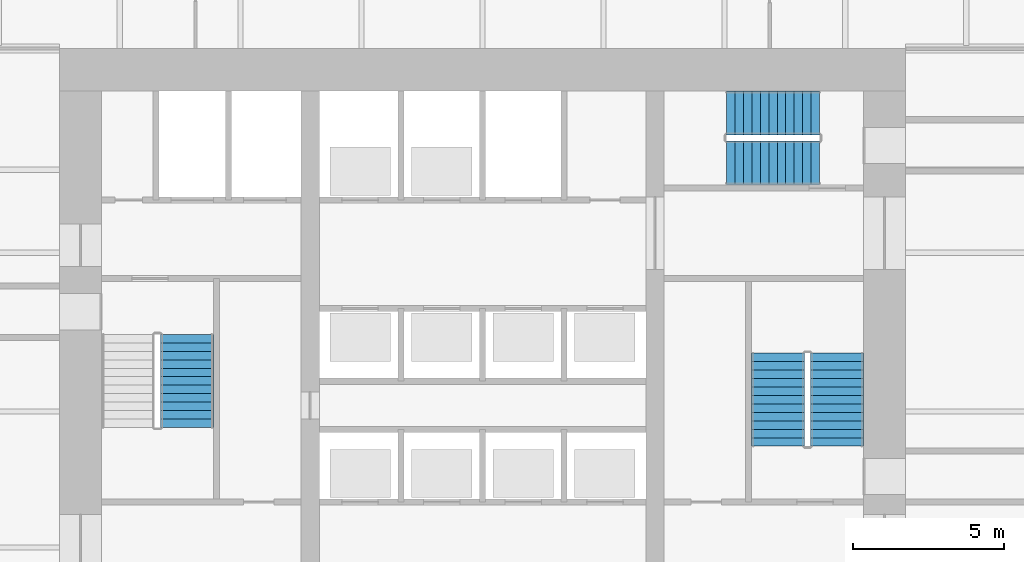
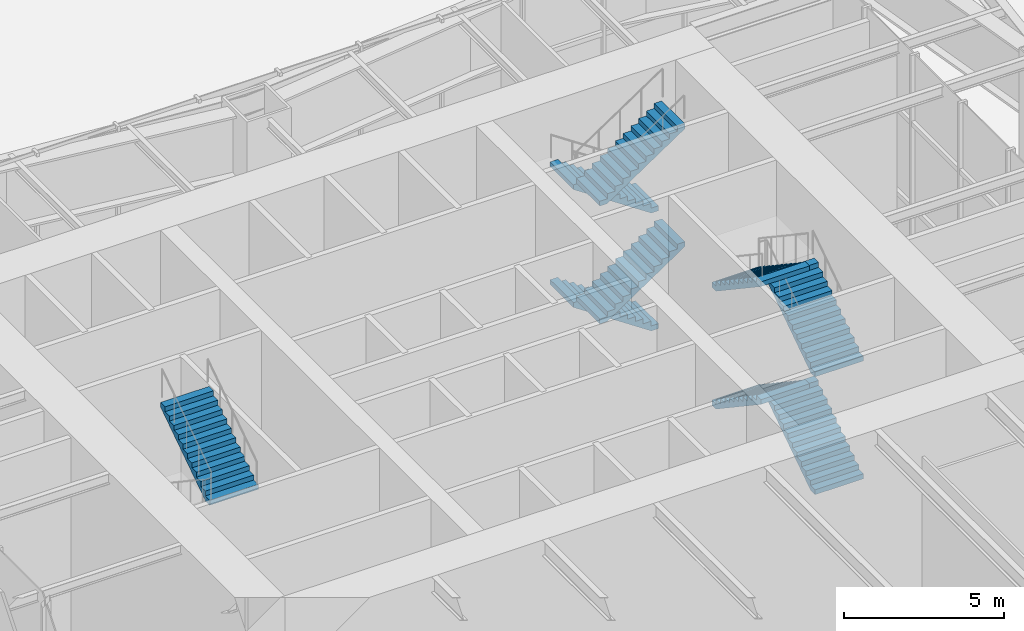
# One storey, part 10 of 13: 9 stair flights, 3 elements without a shape of their own.
"""IFC4 building model written with IfcOpenShell, lengths in metres."""

from ifc_helpers import new_model, si_unit, direction, frame, origin, place, context, subcontext, project, spatial, polyline, outline, extrude, material, type_object, element, aggregate, save


model = new_model("IFC4")

# Units and contexts
model_context = context("Model", 3, precision=1e-05, world=origin(), true_north=direction((0.0, 1.0)))
body_context = subcontext(model_context, "Body", "Model", "MODEL_VIEW")
ifc_project = project(units=[si_unit("LENGTHUNIT", "METRE"), si_unit("AREAUNIT", "SQUARE_METRE"), si_unit("VOLUMEUNIT", "CUBIC_METRE"), si_unit("PLANEANGLEUNIT", "RADIAN"), si_unit("MASSUNIT", "GRAM", prefix="KILO")], contexts=[model_context])

# Site, building, storey
site_placement = place(None, origin())
site = spatial("IfcSite", under=ifc_project, at=site_placement, CompositionType="ELEMENT")
building_placement = place(site_placement, origin())
building = spatial("IfcBuilding", under=site, at=building_placement, Name="Verdant Reach Tower", CompositionType="ELEMENT")
storey_placement = place(building_placement, origin())
storey = spatial("IfcBuildingStorey", under=building, at=storey_placement, Name="G", CompositionType="ELEMENT", Elevation=0.0)

# Stair, stair flight
ifc_material = material(Name="Concrete C40/50", Category="concrete")
stair_type = type_object("IfcStairType", Name="CO-STAIR", PredefinedType="HALF_TURN_STAIR", material=ifc_material)
stair_1_placement = place(storey_placement, origin())
stair_1 = element("IfcStair", 1, at=stair_1_placement, inside=storey, type_object=stair_type, Name="G Exit stair 1", PredefinedType="HALF_TURN_STAIR")
stair_flight_type = type_object("IfcStairFlightType", Name="CO-STAIR-FLIGHT", PredefinedType="STRAIGHT", material=ifc_material)
stair_flight_1_placement = place(storey_placement, frame((-9.77490234375, 26.469970703125, 6.75), z_axis=(0.0, 0.0, 1.0), x_axis=(0.0, 1.0, 0.0)))
stair_flight_1 = element("IfcStairFlight", 2, at=stair_flight_1_placement, type_object=stair_flight_type, Name="ST-1 flight 4", NumberOfRisers=12, NumberOfTreads=11, PredefinedType="STRAIGHT", RiserHeight=0.1875, TreadLength=0.28, context=body_context, shape_type="SweptSolid", body=[
    extrude(outline(polyline([(0.0, 0.0), (0.0, 0.1875), (0.280029296875, 0.1875), (0.280029296875, 0.375), (0.56005859375, 0.375), (0.56005859375, 0.5625), (0.840087890625, 0.5625), (0.840087890625, 0.75), (1.1201171875, 0.75), (1.1201171875, 0.9375), (1.39990234375, 0.9375), (1.39990234375, 1.125), (1.679931640625, 1.125), (1.679931640625, 1.3125), (1.9599609375, 1.3125), (1.9599609375, 1.5), (2.239990234375, 1.5), (2.239990234375, 1.6875), (2.52001953125, 1.6875), (2.52001953125, 1.875), (2.800048828125, 1.875), (2.800048828125, 2.0625), (3.080078125, 2.0625), (3.080078125, 2.25), (3.080078125, 1.882080078125), (0.26953125, 0.0), (0.0, 0.0)])), frame((0.0, 0.875, 0.0), z_axis=(0.0, -1.0, 0.0), x_axis=(1.0, 0.0, 0.0)), (0.0, 0.0, 1.0), 1.75),
])
aggregate(stair_1, [stair_flight_1])

# Stair, stair flights
stair_2_placement = place(storey_placement, origin())
stair_2 = element("IfcStair", 3, at=stair_2_placement, inside=storey, type_object=stair_type, Name="G Exit stair 2", PredefinedType="HALF_TURN_STAIR")
stair_flight_2_placement = place(storey_placement, frame((11.72509765625, 25.85009765625, 0.0), z_axis=(0.0, 0.0, 1.0), x_axis=(0.0, 1.0, 0.0)))
stair_flight_2 = element("IfcStairFlight", 4, at=stair_flight_2_placement, type_object=stair_flight_type, Name="ST-2 flight 1", NumberOfRisers=12, NumberOfTreads=11, PredefinedType="STRAIGHT", RiserHeight=0.1875, TreadLength=0.28, context=body_context, shape_type="SweptSolid", body=[
    extrude(outline(polyline([(0.0, 0.0), (0.0, 0.1875), (0.280029296875, 0.1875), (0.280029296875, 0.375), (0.56005859375, 0.375), (0.56005859375, 0.5625), (0.840087890625, 0.5625), (0.840087890625, 0.75), (1.1201171875, 0.75), (1.1201171875, 0.9375), (1.39990234375, 0.9375), (1.39990234375, 1.125), (1.679931640625, 1.125), (1.679931640625, 1.3125), (1.9599609375, 1.3125), (1.9599609375, 1.5), (2.239990234375, 1.5), (2.239990234375, 1.6875), (2.52001953125, 1.6875), (2.52001953125, 1.875), (2.800048828125, 1.875), (2.800048828125, 2.0625), (3.080078125, 2.0625), (3.080078125, 2.25), (3.080078125, 1.882080078125), (0.26953125, 0.0), (0.0, 0.0)])), frame((0.0, 0.875, 0.0), z_axis=(0.0, -1.0, 0.0), x_axis=(1.0, 0.0, 0.0)), (0.0, 0.0, 1.0), 1.75),
])
stair_flight_3_placement = place(storey_placement, frame((9.77490234375, 28.929931640625, 2.25), z_axis=(0.0, 0.0, 1.0), x_axis=(0.0, -1.0, 0.0)))
stair_flight_3 = element("IfcStairFlight", 5, at=stair_flight_3_placement, type_object=stair_flight_type, Name="ST-2 flight 2", NumberOfRisers=12, NumberOfTreads=11, PredefinedType="STRAIGHT", RiserHeight=0.1875, TreadLength=0.28, context=body_context, shape_type="SweptSolid", body=[
    extrude(outline(polyline([(0.0, 0.0), (0.0, 0.1875), (0.280029296875, 0.1875), (0.280029296875, 0.375), (0.56005859375, 0.375), (0.56005859375, 0.5625), (0.840087890625, 0.5625), (0.840087890625, 0.75), (1.1201171875, 0.75), (1.1201171875, 0.9375), (1.39990234375, 0.9375), (1.39990234375, 1.125), (1.679931640625, 1.125), (1.679931640625, 1.3125), (1.9599609375, 1.3125), (1.9599609375, 1.5), (2.239990234375, 1.5), (2.239990234375, 1.6875), (2.52001953125, 1.6875), (2.52001953125, 1.875), (2.800048828125, 1.875), (2.800048828125, 2.0625), (3.080078125, 2.0625), (3.080078125, 2.25), (3.080078125, 1.882080078125), (0.26953125, 0.0), (0.0, 0.0)])), frame((0.0, 0.875, 0.0), z_axis=(0.0, -1.0, 0.0), x_axis=(1.0, 0.0, 0.0)), (0.0, 0.0, 1.0), 1.75),
])
stair_flight_4_placement = place(storey_placement, frame((11.72509765625, 25.85009765625, 4.5), z_axis=(0.0, 0.0, 1.0), x_axis=(0.0, 1.0, 0.0)))
stair_flight_4 = element("IfcStairFlight", 6, at=stair_flight_4_placement, type_object=stair_flight_type, Name="ST-2 flight 3", NumberOfRisers=12, NumberOfTreads=11, PredefinedType="STRAIGHT", RiserHeight=0.1875, TreadLength=0.28, context=body_context, shape_type="SweptSolid", body=[
    extrude(outline(polyline([(0.0, 0.0), (0.0, 0.1875), (0.280029296875, 0.1875), (0.280029296875, 0.375), (0.56005859375, 0.375), (0.56005859375, 0.5625), (0.840087890625, 0.5625), (0.840087890625, 0.75), (1.1201171875, 0.75), (1.1201171875, 0.9375), (1.39990234375, 0.9375), (1.39990234375, 1.125), (1.679931640625, 1.125), (1.679931640625, 1.3125), (1.9599609375, 1.3125), (1.9599609375, 1.5), (2.239990234375, 1.5), (2.239990234375, 1.6875), (2.52001953125, 1.6875), (2.52001953125, 1.875), (2.800048828125, 1.875), (2.800048828125, 2.0625), (3.080078125, 2.0625), (3.080078125, 2.25), (3.080078125, 1.882080078125), (0.26953125, 0.0), (0.0, 0.0)])), frame((0.0, 0.875, 0.0), z_axis=(0.0, -1.0, 0.0), x_axis=(1.0, 0.0, 0.0)), (0.0, 0.0, 1.0), 1.75),
])
stair_flight_5_placement = place(storey_placement, frame((9.77490234375, 28.929931640625, 6.75), z_axis=(0.0, 0.0, 1.0), x_axis=(0.0, -1.0, 0.0)))
stair_flight_5 = element("IfcStairFlight", 7, at=stair_flight_5_placement, type_object=stair_flight_type, Name="ST-2 flight 4", NumberOfRisers=12, NumberOfTreads=11, PredefinedType="STRAIGHT", RiserHeight=0.1875, TreadLength=0.28, context=body_context, shape_type="SweptSolid", body=[
    extrude(outline(polyline([(0.0, 0.0), (0.0, 0.1875), (0.280029296875, 0.1875), (0.280029296875, 0.375), (0.56005859375, 0.375), (0.56005859375, 0.5625), (0.840087890625, 0.5625), (0.840087890625, 0.75), (1.1201171875, 0.75), (1.1201171875, 0.9375), (1.39990234375, 0.9375), (1.39990234375, 1.125), (1.679931640625, 1.125), (1.679931640625, 1.3125), (1.9599609375, 1.3125), (1.9599609375, 1.5), (2.239990234375, 1.5), (2.239990234375, 1.6875), (2.52001953125, 1.6875), (2.52001953125, 1.875), (2.800048828125, 1.875), (2.800048828125, 2.0625), (3.080078125, 2.0625), (3.080078125, 2.25), (3.080078125, 1.882080078125), (0.26953125, 0.0), (0.0, 0.0)])), frame((0.0, 0.875, 0.0), z_axis=(0.0, -1.0, 0.0), x_axis=(1.0, 0.0, 0.0)), (0.0, 0.0, 1.0), 1.75),
])
aggregate(stair_2, [stair_flight_2, stair_flight_3, stair_flight_4, stair_flight_5])

stair_3_placement = place(storey_placement, origin())
stair_3 = element("IfcStair", 8, at=stair_3_placement, inside=storey, type_object=stair_type, Name="G Exit stair 3", PredefinedType="HALF_TURN_STAIR")
stair_flight_6_placement = place(storey_placement, frame((11.14990234375, 36.875, 0.0), z_axis=(0.0, 0.0, 1.0), x_axis=(-1.0, 0.0, 0.0)))
stair_flight_6 = element("IfcStairFlight", 9, at=stair_flight_6_placement, type_object=stair_flight_type, Name="ST-3 flight 1", NumberOfRisers=12, NumberOfTreads=11, PredefinedType="STRAIGHT", RiserHeight=0.1875, TreadLength=0.28, context=body_context, shape_type="SweptSolid", body=[
    extrude(outline(polyline([(0.0, 0.0), (0.0, 0.1875), (0.280029296875, 0.1875), (0.280029296875, 0.375), (0.56005859375, 0.375), (0.56005859375, 0.5625), (0.840087890625, 0.5625), (0.840087890625, 0.75), (1.1201171875, 0.75), (1.1201171875, 0.9375), (1.39990234375, 0.9375), (1.39990234375, 1.125), (1.679931640625, 1.125), (1.679931640625, 1.3125), (1.9599609375, 1.3125), (1.9599609375, 1.5), (2.239990234375, 1.5), (2.239990234375, 1.6875), (2.52001953125, 1.6875), (2.52001953125, 1.875), (2.800048828125, 1.875), (2.800048828125, 2.0625), (3.080078125, 2.0625), (3.080078125, 2.25), (3.080078125, 1.882080078125), (0.26953125, 0.0), (0.0, 0.0)])), frame((0.0, 0.72509765625, 0.0), z_axis=(0.0, -1.0, 0.0), x_axis=(1.0, 0.0, 0.0)), (0.0, 0.0, 1.0), 1.449951171875),
])
stair_flight_7_placement = place(storey_placement, frame((8.070068359375, 35.22509765625, 2.25), z_axis=(0.0, 0.0, 1.0), x_axis=(1.0, 0.0, 0.0)))
stair_flight_7 = element("IfcStairFlight", 10, at=stair_flight_7_placement, type_object=stair_flight_type, Name="ST-3 flight 2", NumberOfRisers=12, NumberOfTreads=11, PredefinedType="STRAIGHT", RiserHeight=0.1875, TreadLength=0.28, context=body_context, shape_type="SweptSolid", body=[
    extrude(outline(polyline([(0.0, 0.0), (0.0, 0.1875), (0.280029296875, 0.1875), (0.280029296875, 0.375), (0.56005859375, 0.375), (0.56005859375, 0.5625), (0.840087890625, 0.5625), (0.840087890625, 0.75), (1.1201171875, 0.75), (1.1201171875, 0.9375), (1.39990234375, 0.9375), (1.39990234375, 1.125), (1.679931640625, 1.125), (1.679931640625, 1.3125), (1.9599609375, 1.3125), (1.9599609375, 1.5), (2.239990234375, 1.5), (2.239990234375, 1.6875), (2.52001953125, 1.6875), (2.52001953125, 1.875), (2.800048828125, 1.875), (2.800048828125, 2.0625), (3.080078125, 2.0625), (3.080078125, 2.25), (3.080078125, 1.882080078125), (0.26953125, 0.0), (0.0, 0.0)])), frame((0.0, 0.72509765625, 0.0), z_axis=(0.0, -1.0, 0.0), x_axis=(1.0, 0.0, 0.0)), (0.0, 0.0, 1.0), 1.449951171875),
])
stair_flight_8_placement = place(storey_placement, frame((11.14990234375, 36.875, 4.5), z_axis=(0.0, 0.0, 1.0), x_axis=(-1.0, 0.0, 0.0)))
stair_flight_8 = element("IfcStairFlight", 11, at=stair_flight_8_placement, type_object=stair_flight_type, Name="ST-3 flight 3", NumberOfRisers=12, NumberOfTreads=11, PredefinedType="STRAIGHT", RiserHeight=0.1875, TreadLength=0.28, context=body_context, shape_type="SweptSolid", body=[
    extrude(outline(polyline([(0.0, 0.0), (0.0, 0.1875), (0.280029296875, 0.1875), (0.280029296875, 0.375), (0.56005859375, 0.375), (0.56005859375, 0.5625), (0.840087890625, 0.5625), (0.840087890625, 0.75), (1.1201171875, 0.75), (1.1201171875, 0.9375), (1.39990234375, 0.9375), (1.39990234375, 1.125), (1.679931640625, 1.125), (1.679931640625, 1.3125), (1.9599609375, 1.3125), (1.9599609375, 1.5), (2.239990234375, 1.5), (2.239990234375, 1.6875), (2.52001953125, 1.6875), (2.52001953125, 1.875), (2.800048828125, 1.875), (2.800048828125, 2.0625), (3.080078125, 2.0625), (3.080078125, 2.25), (3.080078125, 1.882080078125), (0.26953125, 0.0), (0.0, 0.0)])), frame((0.0, 0.72509765625, 0.0), z_axis=(0.0, -1.0, 0.0), x_axis=(1.0, 0.0, 0.0)), (0.0, 0.0, 1.0), 1.449951171875),
])
stair_flight_9_placement = place(storey_placement, frame((8.070068359375, 35.22509765625, 6.75), z_axis=(0.0, 0.0, 1.0), x_axis=(1.0, 0.0, 0.0)))
stair_flight_9 = element("IfcStairFlight", 12, at=stair_flight_9_placement, type_object=stair_flight_type, Name="ST-3 flight 4", NumberOfRisers=12, NumberOfTreads=11, PredefinedType="STRAIGHT", RiserHeight=0.1875, TreadLength=0.28, context=body_context, shape_type="SweptSolid", body=[
    extrude(outline(polyline([(0.0, 0.0), (0.0, 0.1875), (0.280029296875, 0.1875), (0.280029296875, 0.375), (0.56005859375, 0.375), (0.56005859375, 0.5625), (0.840087890625, 0.5625), (0.840087890625, 0.75), (1.1201171875, 0.75), (1.1201171875, 0.9375), (1.39990234375, 0.9375), (1.39990234375, 1.125), (1.679931640625, 1.125), (1.679931640625, 1.3125), (1.9599609375, 1.3125), (1.9599609375, 1.5), (2.239990234375, 1.5), (2.239990234375, 1.6875), (2.52001953125, 1.6875), (2.52001953125, 1.875), (2.800048828125, 1.875), (2.800048828125, 2.0625), (3.080078125, 2.0625), (3.080078125, 2.25), (3.080078125, 1.882080078125), (0.26953125, 0.0), (0.0, 0.0)])), frame((0.0, 0.72509765625, 0.0), z_axis=(0.0, -1.0, 0.0), x_axis=(1.0, 0.0, 0.0)), (0.0, 0.0, 1.0), 1.449951171875),
])
aggregate(stair_3, [stair_flight_6, stair_flight_7, stair_flight_8, stair_flight_9])

save(model, "model.ifc")
